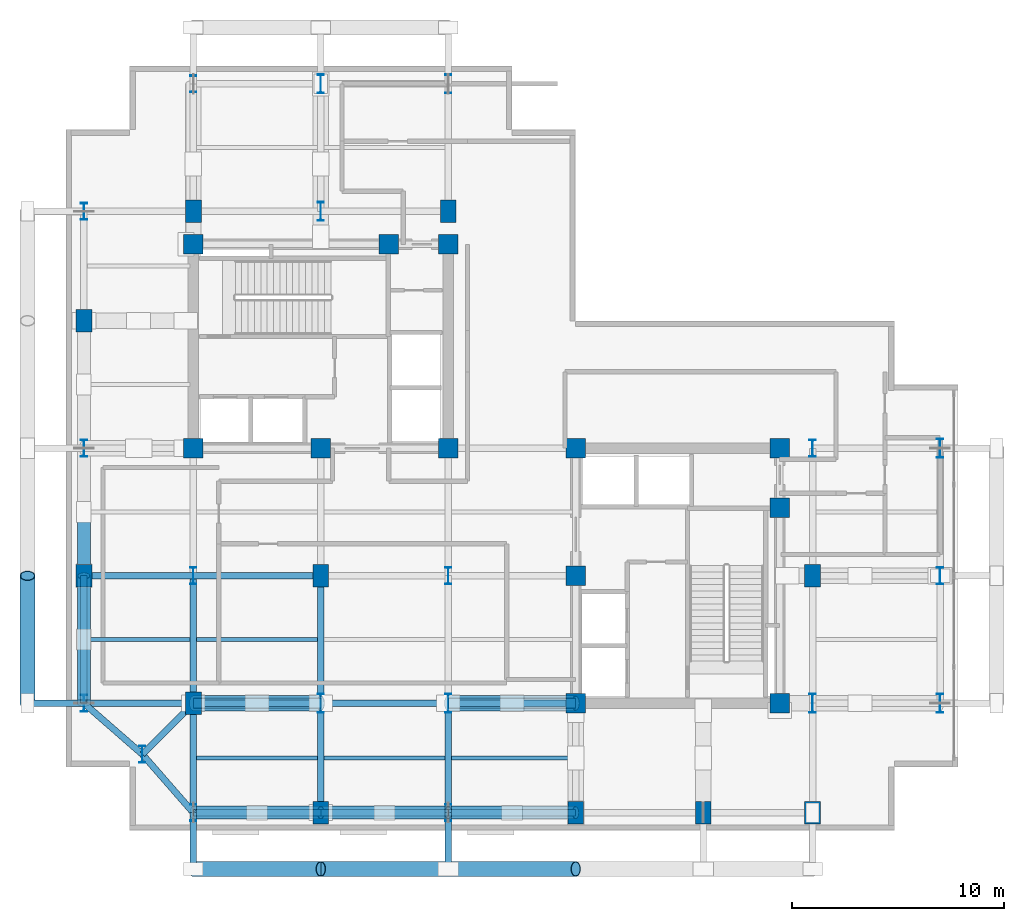
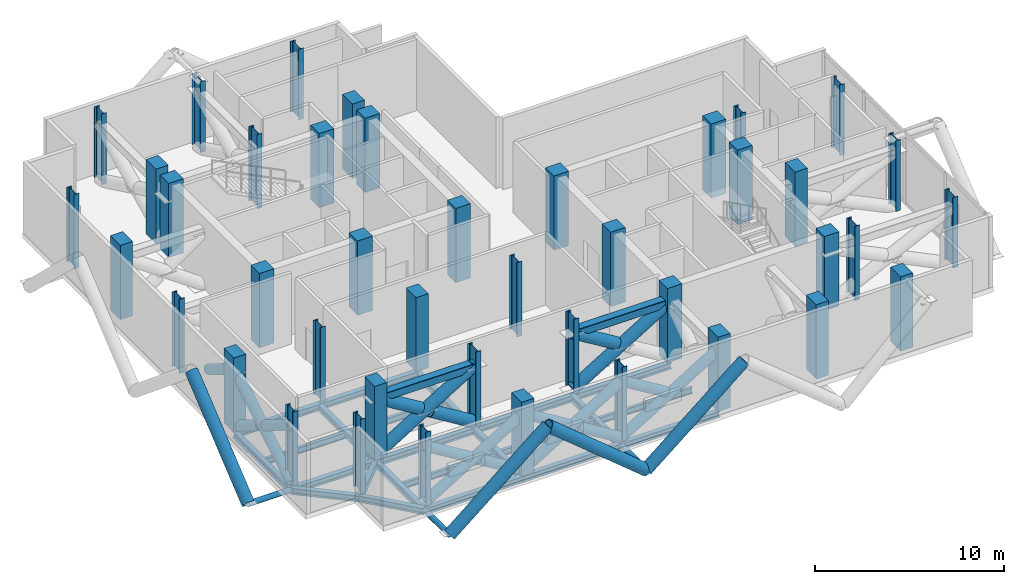
# One storey, part 1 of 8: 42 columns, 26 members, 23 beams.
"""IFC4 building model written with IfcOpenShell, lengths in metres."""

from ifc_helpers import new_model, si_unit, direction, frame, origin, origin_2d, place, context, subcontext, project, spatial, rectangle, hollow_rectangle, hollow_circle, i_section, extrude, material, material_profile, profile_set, type_object, element, save


model = new_model("IFC4")

# Units and contexts
model_context = context("Model", 3, precision=1e-05, world=origin(), true_north=direction((0.0, 1.0)))
body_context = subcontext(model_context, "Body", "Model", "MODEL_VIEW")
ifc_project = project(units=[si_unit("LENGTHUNIT", "METRE"), si_unit("AREAUNIT", "SQUARE_METRE"), si_unit("VOLUMEUNIT", "CUBIC_METRE"), si_unit("PLANEANGLEUNIT", "RADIAN"), si_unit("MASSUNIT", "GRAM", prefix="KILO"), si_unit("THERMODYNAMICTEMPERATUREUNIT", "KELVIN"), si_unit("POWERUNIT", "WATT")], contexts=[model_context])

# Site, building, storey
site_placement = place(None, origin())
site = spatial("IfcSite", under=ifc_project, at=site_placement, CompositionType="ELEMENT")
building_placement = place(site_placement, origin())
building = spatial("IfcBuilding", under=site, at=building_placement, Name="Svarakhadi Broadcast Tower", CompositionType="ELEMENT")
storey_placement = place(building_placement, frame((0.0, 0.0, 234.89990234375)))
storey = spatial("IfcBuildingStorey", under=building, at=storey_placement, Name="L58", CompositionType="ELEMENT", Elevation=234.89990234375)

# Columns
ifc_material_1 = material(Name="Concrete C50/60 (IS 456 M60)", Category="concrete")
ifc_material_profile_1 = material_profile(ifc_material_1, rectangle(XDim=0.75, YDim=1.050048828125, at=origin_2d()), Name="RC 750x1050")
ifc_profile_set_1 = profile_set([ifc_material_profile_1], Name="Concrete C50/60 (IS 456 M60)")
column_type_1 = type_object("IfcColumnType", Name="Col_RC750", PredefinedType="COLUMN", material=ifc_profile_set_1)
for number, where, z_axis, x_axis, name in (
    (1, (0.85009765625, 12.0, 0.0), (0.0, 0.0, 1.0), (1.0, 0.0, 0.0), "L58 Column G04"),
    (2, (0.85009765625, 24.0, 0.0), (0.0, 0.0, 1.0), (1.0, 0.0, 0.0), "L58 Column G06"),
    (3, (6.0, 6.0, 0.0), (0.0, 0.0, 1.0), (1.0, 0.0, 0.0), "L58 Column G12"),
    (4, (6.0, 29.14990234375, 0.0), (0.0, 0.0, 1.0), (1.0, 0.0, 0.0), "L58 Column G14"),
    (5, (12.0, 0.85009765625, 0.0), (0.0, 0.0, 1.0), (1.0, 0.0, 0.0), "L58 Column G18"),
    (6, (12.0, 12.0, 0.0), (0.0, 0.0, 1.0), (1.0, 0.0, 0.0), "L58 Column G20"),
    (7, (18.0, 29.14990234375, 0.0), (0.0, 0.0, 1.0), (1.0, 0.0, 0.0), "L58 Column G28"),
    (8, (24.0, 0.85009765625, 0.0), (0.0, 0.0, 1.0), (1.0, 0.0, 0.0), "L58 Column G32"),
    (9, (30.0, 0.85009765625, 0.0), (0.0, 0.0, 1.0), (1.0, 0.0, 0.0), "L58 Column G36"),
    (10, (35.14990234375, 0.85009765625, 0.0), (0.0, 0.0, 1.0), (1.0, 0.0, 0.0), "L58 Column G38"),
    (11, (35.14990234375, 12.0, 0.0), (0.0, 0.0, 1.0), (1.0, 0.0, 0.0), "L58 Column G40"),
):
    element("IfcColumn", number, at=place(storey_placement, frame(where, z_axis=z_axis, x_axis=x_axis)), inside=storey, type_object=column_type_1, Name=name, PredefinedType="COLUMN", context=body_context, shape_type="SweptSolid", body=[
        extrude(rectangle(XDim=0.75, YDim=1.050048828125, at=origin_2d()), origin(), (0.0, 0.0, 1.0), 4.800048828125),
    ])
ifc_material_profile_2 = material_profile(ifc_material_1, rectangle(XDim=0.89990234375, YDim=0.89990234375, at=origin_2d()), Name="RC 900x900")
ifc_profile_set_2 = profile_set([ifc_material_profile_2], Name="Concrete C50/60 (IS 456 M60)")
column_type_2 = type_object("IfcColumnType", Name="Col_RC900", PredefinedType="COLUMN", material=ifc_profile_set_2)
for number, where, z_axis, x_axis, name in (
    (12, (6.0, 18.0, 0.0), (0.0, 0.0, 1.0), (1.0, 0.0, 0.0), "L58 Column CW1"),
    (13, (12.0, 18.0, 0.0), (0.0, 0.0, 1.0), (1.0, 0.0, 0.0), "L58 Column CW2"),
    (14, (18.0, 18.0, 0.0), (0.0, 0.0, 1.0), (1.0, 0.0, 0.0), "L58 Column CW3"),
    (15, (6.0, 27.60009765625, 0.0), (0.0, 0.0, 1.0), (1.0, 0.0, 0.0), "L58 Column CW4"),
    (16, (15.199951171875, 27.60009765625, 0.0), (0.0, 0.0, 1.0), (1.0, 0.0, 0.0), "L58 Column CW5"),
    (17, (18.0, 27.60009765625, 0.0), (0.0, 0.0, 1.0), (1.0, 0.0, 0.0), "L58 Column CW6"),
    (18, (24.0, 6.0, 0.0), (0.0, 0.0, 1.0), (1.0, 0.0, 0.0), "L58 Column CE1"),
    (19, (24.0, 12.0, 0.0), (0.0, 0.0, 1.0), (1.0, 0.0, 0.0), "L58 Column CE2"),
    (20, (24.0, 18.0, 0.0), (0.0, 0.0, 1.0), (1.0, 0.0, 0.0), "L58 Column CE3"),
    (21, (33.60009765625, 6.0, 0.0), (0.0, 0.0, 1.0), (1.0, 0.0, 0.0), "L58 Column CE4"),
    (22, (33.60009765625, 15.199951171875, 0.0), (0.0, 0.0, 1.0), (1.0, 0.0, 0.0), "L58 Column CE5"),
    (23, (33.60009765625, 18.0, 0.0), (0.0, 0.0, 1.0), (1.0, 0.0, 0.0), "L58 Column CE6"),
):
    element("IfcColumn", number, at=place(storey_placement, frame(where, z_axis=z_axis, x_axis=x_axis)), inside=storey, type_object=column_type_2, Name=name, PredefinedType="COLUMN", context=body_context, shape_type="SweptSolid", body=[
        extrude(rectangle(XDim=0.89990234375, YDim=0.89990234375, at=origin_2d()), origin(), (0.0, 0.0, 1.0), 4.800048828125),
    ])
ifc_material_2 = material(Name="Steel S460ML (IS 2062 E450BR)", Category="steel")
ifc_material_profile_3 = material_profile(ifc_material_2, i_section(OverallWidth=0.300048828125, OverallDepth=0.800048828125, WebThickness=0.017578125, FlangeThickness=0.032958984375, FilletRadius=0.030029296875, at=origin_2d()), Name="WPB 800x300x262")
ifc_profile_set_3 = profile_set([ifc_material_profile_3], Name="Steel S460ML (IS 2062 E450BR)")
column_type_3 = type_object("IfcColumnType", Name="Col_WPB800", PredefinedType="COLUMN", material=ifc_profile_set_3)
for number, where, z_axis, x_axis, name in (
    (24, (3.60009765625, 3.60009765625, 0.0), (0.0, 0.0, 1.0), (1.0, 0.0, 0.0), "L58 Column G01"),
    (25, (0.85009765625, 6.0, 0.0), (0.0, 0.0, 1.0), (1.0, 0.0, 0.0), "L58 Column G03"),
    (26, (0.85009765625, 18.0, 0.0), (0.0, 0.0, 1.0), (1.0, 0.0, 0.0), "L58 Column G05"),
    (27, (0.85009765625, 29.14990234375, 0.0), (0.0, 0.0, 1.0), (1.0, 0.0, 0.0), "L58 Column G07"),
    (28, (6.0, 0.85009765625, 0.0), (0.0, 0.0, 1.0), (1.0, 0.0, 0.0), "L58 Column G11"),
    (29, (6.0, 12.0, 0.0), (0.0, 0.0, 1.0), (1.0, 0.0, 0.0), "L58 Column G13"),
):
    element("IfcColumn", number, at=place(storey_placement, frame(where, z_axis=z_axis, x_axis=x_axis)), inside=storey, type_object=column_type_3, Name=name, PredefinedType="COLUMN", context=body_context, shape_type="SweptSolid", body=[
        extrude(i_section(OverallWidth=0.300048828125, OverallDepth=0.800048828125, WebThickness=0.017578125, FlangeThickness=0.032958984375, FilletRadius=0.030029296875, at=origin_2d()), origin(), (0.0, 0.0, 1.0), 4.800048828125),
    ])
column_1_placement = place(storey_placement, frame((6.0, 35.14990234375, 0.0), z_axis=(0.0, 0.0, 1.0), x_axis=(1.0, 0.0, 0.0)))
element("IfcColumn", 30, at=column_1_placement, inside=storey, type_object=column_type_3, Name="L58 Column G15", PredefinedType="COLUMN", context=body_context, shape_type="SweptSolid", body=[
    extrude(i_section(OverallWidth=0.300048828125, OverallDepth=0.800048828125, WebThickness=0.017578125, FlangeThickness=0.032958984375, FilletRadius=0.030029296875, at=origin_2d()), origin(), (0.0, 0.0, 1.0), 4.56005859375),
])
for number, where, z_axis, x_axis, name in (
    (31, (18.0, 0.85009765625, 0.0), (0.0, 0.0, 1.0), (1.0, 0.0, 0.0), "L58 Column G25"),
    (32, (18.0, 12.0, 0.0), (0.0, 0.0, 1.0), (1.0, 0.0, 0.0), "L58 Column G27"),
    (33, (35.14990234375, 18.0, 0.0), (0.0, 0.0, 1.0), (1.0, 0.0, 0.0), "L58 Column G41"),
):
    element("IfcColumn", number, at=place(storey_placement, frame(where, z_axis=z_axis, x_axis=x_axis)), inside=storey, type_object=column_type_3, Name=name, PredefinedType="COLUMN", context=body_context, shape_type="SweptSolid", body=[
        extrude(i_section(OverallWidth=0.300048828125, OverallDepth=0.800048828125, WebThickness=0.017578125, FlangeThickness=0.032958984375, FilletRadius=0.030029296875, at=origin_2d()), origin(), (0.0, 0.0, 1.0), 4.800048828125),
    ])
column_2_placement = place(storey_placement, frame((41.14990234375, 12.0, 0.0), z_axis=(0.0, 0.0, 1.0), x_axis=(1.0, 0.0, 0.0)))
element("IfcColumn", 34, at=column_2_placement, inside=storey, type_object=column_type_3, Name="L58 Column G45", PredefinedType="COLUMN", context=body_context, shape_type="SweptSolid", body=[
    extrude(i_section(OverallWidth=0.300048828125, OverallDepth=0.800048828125, WebThickness=0.017578125, FlangeThickness=0.032958984375, FilletRadius=0.030029296875, at=origin_2d()), origin(), (0.0, 0.0, 1.0), 4.56005859375),
])
ifc_material_profile_4 = material_profile(ifc_material_2, i_section(OverallWidth=0.300048828125, OverallDepth=0.89990234375, WebThickness=0.0185546875, FlangeThickness=0.034912109375, FilletRadius=0.030029296875, at=origin_2d()), Name="WPB 900x300x291")
ifc_profile_set_4 = profile_set([ifc_material_profile_4], Name="Steel S460ML (IS 2062 E450BR)")
column_type_4 = type_object("IfcColumnType", Name="Col_WPB900", PredefinedType="COLUMN", material=ifc_profile_set_4)
for number, where, z_axis, x_axis, name in (
    (35, (12.0, 6.0, 0.0), (0.0, 0.0, 1.0), (1.0, 0.0, 0.0), "L58 Column G19"),
    (36, (12.0, 29.14990234375, 0.0), (0.0, 0.0, 1.0), (1.0, 0.0, 0.0), "L58 Column G21"),
):
    element("IfcColumn", number, at=place(storey_placement, frame(where, z_axis=z_axis, x_axis=x_axis)), inside=storey, type_object=column_type_4, Name=name, PredefinedType="COLUMN", context=body_context, shape_type="SweptSolid", body=[
        extrude(i_section(OverallWidth=0.300048828125, OverallDepth=0.89990234375, WebThickness=0.0185546875, FlangeThickness=0.034912109375, FilletRadius=0.030029296875, at=origin_2d()), origin(), (0.0, 0.0, 1.0), 4.800048828125),
    ])
column_3_placement = place(storey_placement, frame((12.0, 35.14990234375, 0.0), z_axis=(0.0, 0.0, 1.0), x_axis=(1.0, 0.0, 0.0)))
element("IfcColumn", 37, at=column_3_placement, inside=storey, type_object=column_type_4, Name="L58 Column G22", PredefinedType="COLUMN", context=body_context, shape_type="SweptSolid", body=[
    extrude(i_section(OverallWidth=0.300048828125, OverallDepth=0.89990234375, WebThickness=0.0185546875, FlangeThickness=0.034912109375, FilletRadius=0.030029296875, at=origin_2d()), origin(), (0.0, 0.0, 1.0), 4.56005859375),
])
column_4_placement = place(storey_placement, frame((18.0, 6.0, 0.0), z_axis=(0.0, 0.0, 1.0), x_axis=(1.0, 0.0, 0.0)))
element("IfcColumn", 38, at=column_4_placement, inside=storey, type_object=column_type_4, Name="L58 Column G26", PredefinedType="COLUMN", context=body_context, shape_type="SweptSolid", body=[
    extrude(i_section(OverallWidth=0.300048828125, OverallDepth=0.89990234375, WebThickness=0.0185546875, FlangeThickness=0.034912109375, FilletRadius=0.030029296875, at=origin_2d()), origin(), (0.0, 0.0, 1.0), 4.800048828125),
])
column_5_placement = place(storey_placement, frame((18.0, 35.14990234375, 0.0), z_axis=(0.0, 0.0, 1.0), x_axis=(1.0, 0.0, 0.0)))
element("IfcColumn", 39, at=column_5_placement, inside=storey, type_object=column_type_4, Name="L58 Column G29", PredefinedType="COLUMN", context=body_context, shape_type="SweptSolid", body=[
    extrude(i_section(OverallWidth=0.300048828125, OverallDepth=0.89990234375, WebThickness=0.0185546875, FlangeThickness=0.034912109375, FilletRadius=0.030029296875, at=origin_2d()), origin(), (0.0, 0.0, 1.0), 4.56005859375),
])
column_6_placement = place(storey_placement, frame((35.14990234375, 6.0, 0.0), z_axis=(0.0, 0.0, 1.0), x_axis=(1.0, 0.0, 0.0)))
element("IfcColumn", 40, at=column_6_placement, inside=storey, type_object=column_type_4, Name="L58 Column G39", PredefinedType="COLUMN", context=body_context, shape_type="SweptSolid", body=[
    extrude(i_section(OverallWidth=0.300048828125, OverallDepth=0.89990234375, WebThickness=0.0185546875, FlangeThickness=0.034912109375, FilletRadius=0.030029296875, at=origin_2d()), origin(), (0.0, 0.0, 1.0), 4.800048828125),
])
for number, where, z_axis, x_axis, name in (
    (41, (41.14990234375, 6.0, 0.0), (0.0, 0.0, 1.0), (1.0, 0.0, 0.0), "L58 Column G44"),
    (42, (41.14990234375, 18.0, 0.0), (0.0, 0.0, 1.0), (1.0, 0.0, 0.0), "L58 Column G46"),
):
    element("IfcColumn", number, at=place(storey_placement, frame(where, z_axis=z_axis, x_axis=x_axis)), inside=storey, type_object=column_type_4, Name=name, PredefinedType="COLUMN", context=body_context, shape_type="SweptSolid", body=[
        extrude(i_section(OverallWidth=0.300048828125, OverallDepth=0.89990234375, WebThickness=0.0185546875, FlangeThickness=0.034912109375, FilletRadius=0.030029296875, at=origin_2d()), origin(), (0.0, 0.0, 1.0), 4.56005859375),
    ])

# Beams
ifc_material_3 = material(Name="Steel S355J2 (IS 2062 E350C)", Category="steel")
ifc_material_profile_5 = material_profile(ifc_material_3, i_section(OverallWidth=0.179931640625, OverallDepth=0.39990234375, WebThickness=0.008544921875, FlangeThickness=0.013427734375, FilletRadius=0.02099609375, at=origin_2d()), Name="NPB 400x180x66")
ifc_profile_set_5 = profile_set([ifc_material_profile_5], Name="Steel S355J2 (IS 2062 E350C)")
beam_type_1 = type_object("IfcBeamType", Name="Beam_NPB400", PredefinedType="BEAM", material=ifc_profile_set_5)
beam_1_placement = place(storey_placement, frame((1.010009765625, 9.0, -0.52490234375), z_axis=(1.0, 0.0, 0.0), x_axis=(0.0, 1.0, 0.0)))
element("IfcBeam", 43, at=beam_1_placement, inside=storey, type_object=beam_type_1, Name="L58 Secondary Composite Beam SB001", PredefinedType="BEAM", context=body_context, shape_type="SweptSolid", body=[
    extrude(i_section(OverallWidth=0.179931640625, OverallDepth=0.39990234375, WebThickness=0.008544921875, FlangeThickness=0.013427734375, FilletRadius=0.02099609375, at=origin_2d()), origin(), (0.0, 0.0, 1.0), 4.830078125),
])
for number, where, z_axis, x_axis, name in (
    (44, (6.159912109375, 3.425048828125, -0.52490234375), (1.0, 0.0, 0.0), (0.0, 1.0, 0.0), "L58 Secondary Composite Beam SB005"),
    (45, (6.159912109375, 9.0, -0.52490234375), (1.0, 0.0, 0.0), (0.0, 1.0, 0.0), "L58 Secondary Composite Beam SB006"),
    (46, (12.159912109375, 3.425048828125, -0.52490234375), (1.0, 0.0, 0.0), (0.0, 1.0, 0.0), "L58 Secondary Composite Beam SB009"),
    (47, (18.159912109375, 3.425048828125, -0.52490234375), (1.0, 0.0, 0.0), (0.0, 1.0, 0.0), "L58 Secondary Composite Beam SB013"),
):
    element("IfcBeam", number, at=place(storey_placement, frame(where, z_axis=z_axis, x_axis=x_axis)), inside=storey, type_object=beam_type_1, Name=name, PredefinedType="BEAM", context=body_context, shape_type="SweptSolid", body=[
        extrude(i_section(OverallWidth=0.179931640625, OverallDepth=0.39990234375, WebThickness=0.008544921875, FlangeThickness=0.013427734375, FilletRadius=0.02099609375, at=origin_2d()), origin(), (0.0, 0.0, 1.0), 5.68017578125),
    ])

# Members
ifc_material_profile_6 = material_profile(ifc_material_2, hollow_circle(Radius=0.304931640625, WallThickness=0.030029296875, at=origin_2d()), Name="CHS 610x30")
ifc_profile_set_6 = profile_set([ifc_material_profile_6], Name="Steel S460ML (IS 2062 E450BR)")
member_type_1 = type_object("IfcMemberType", Name="Belt_Brace_BT01", PredefinedType="BRACE", material=ifc_profile_set_6)
member_1_placement = place(storey_placement, frame((6.0, 0.85009765625, 0.0), z_axis=(0.854326743865, 0.0, 0.519736293438), x_axis=(0.0, 1.0, 0.0)))
element("IfcMember", 48, at=member_1_placement, inside=storey, type_object=member_type_1, Name="L58 Perimeter Belt Truss Diagonal BT-01A", PredefinedType="BRACE", context=body_context, shape_type="SweptSolid", body=[
    extrude(hollow_circle(Radius=0.304931640625, WallThickness=0.030029296875, at=origin_2d()), origin(), (0.0, 0.0, 1.0), 7.023193359375),
])
for number, where, z_axis, x_axis, name in (
    (49, (12.0, 0.85009765625, 0.0), (-0.854339667443, 0.0, 0.519715049458), (0.0, -1.0, 0.0), "L58 Perimeter Belt Truss Diagonal BT-01B1"),
    (50, (8.739501953125, 0.85009765625, 1.983642578125), (-0.854339667443, 0.0, 0.519715049458), (0.0, -1.0, 0.0), "L58 Perimeter Belt Truss Diagonal BT-01B2"),
):
    element("IfcMember", number, at=place(storey_placement, frame(where, z_axis=z_axis, x_axis=x_axis)), inside=storey, type_object=member_type_1, Name=name, PredefinedType="BRACE", context=body_context, shape_type="SweptSolid", body=[
        extrude(hollow_circle(Radius=0.304931640625, WallThickness=0.030029296875, at=origin_2d()), origin(), (0.0, 0.0, 1.0), 3.20654296875),
    ])
member_2_placement = place(storey_placement, frame((12.0, 0.85009765625, 0.0), z_axis=(0.854326743865, 0.0, 0.519736293438), x_axis=(0.0, 1.0, 0.0)))
element("IfcMember", 51, at=member_2_placement, inside=storey, type_object=member_type_1, Name="L58 Perimeter Belt Truss Diagonal BT-02A", PredefinedType="BRACE", context=body_context, shape_type="SweptSolid", body=[
    extrude(hollow_circle(Radius=0.304931640625, WallThickness=0.030029296875, at=origin_2d()), origin(), (0.0, 0.0, 1.0), 7.023193359375),
])
for number, where, z_axis, x_axis, name in (
    (52, (18.0, 0.85009765625, 0.0), (-0.854339667443, 0.0, 0.519715049458), (0.0, -1.0, 0.0), "L58 Perimeter Belt Truss Diagonal BT-02B1"),
    (53, (14.739501953125, 0.85009765625, 1.983642578125), (-0.854339667443, 0.0, 0.519715049458), (0.0, -1.0, 0.0), "L58 Perimeter Belt Truss Diagonal BT-02B2"),
):
    element("IfcMember", number, at=place(storey_placement, frame(where, z_axis=z_axis, x_axis=x_axis)), inside=storey, type_object=member_type_1, Name=name, PredefinedType="BRACE", context=body_context, shape_type="SweptSolid", body=[
        extrude(hollow_circle(Radius=0.304931640625, WallThickness=0.030029296875, at=origin_2d()), origin(), (0.0, 0.0, 1.0), 3.20654296875),
    ])
member_3_placement = place(storey_placement, frame((18.0, 0.85009765625, 0.0), z_axis=(0.854326743865, 0.0, 0.519736293438), x_axis=(0.0, 1.0, 0.0)))
element("IfcMember", 54, at=member_3_placement, inside=storey, type_object=member_type_1, Name="L58 Perimeter Belt Truss Diagonal BT-03A", PredefinedType="BRACE", context=body_context, shape_type="SweptSolid", body=[
    extrude(hollow_circle(Radius=0.304931640625, WallThickness=0.030029296875, at=origin_2d()), origin(), (0.0, 0.0, 1.0), 7.023193359375),
])
member_4_placement = place(storey_placement, frame((20.739501953125, 0.85009765625, 1.983642578125), z_axis=(-0.854339667443, 0.0, 0.519715049458), x_axis=(0.0, -1.0, 0.0)))
element("IfcMember", 55, at=member_4_placement, inside=storey, type_object=member_type_1, Name="L58 Perimeter Belt Truss Diagonal BT-03B2", PredefinedType="BRACE", context=body_context, shape_type="SweptSolid", body=[
    extrude(hollow_circle(Radius=0.304931640625, WallThickness=0.030029296875, at=origin_2d()), origin(), (0.0, 0.0, 1.0), 3.20654296875),
])
member_5_placement = place(storey_placement, frame((0.85009765625, 6.0, 0.0), z_axis=(0.0, 0.854326743865, 0.519736293438), x_axis=(-1.0, 0.0, 0.0)))
element("IfcMember", 56, at=member_5_placement, inside=storey, type_object=member_type_1, Name="L58 Perimeter Belt Truss Diagonal BT-04A", PredefinedType="BRACE", context=body_context, shape_type="SweptSolid", body=[
    extrude(hollow_circle(Radius=0.304931640625, WallThickness=0.030029296875, at=origin_2d()), origin(), (0.0, 0.0, 1.0), 7.023193359375),
])
for number, where, z_axis, x_axis, name in (
    (57, (0.85009765625, 12.0, 0.0), (0.0, -0.854339667443, 0.519715049458), (1.0, 0.0, 0.0), "L58 Perimeter Belt Truss Diagonal BT-04B1"),
    (58, (0.85009765625, 8.739501953125, 1.983642578125), (0.0, -0.854339667443, 0.519715049458), (1.0, 0.0, 0.0), "L58 Perimeter Belt Truss Diagonal BT-04B2"),
    (59, (0.85009765625, 14.739501953125, 1.983642578125), (0.0, -0.854339667443, 0.519715049458), (1.0, 0.0, 0.0), "L58 Perimeter Belt Truss Diagonal BT-05B2"),
):
    element("IfcMember", number, at=place(storey_placement, frame(where, z_axis=z_axis, x_axis=x_axis)), inside=storey, type_object=member_type_1, Name=name, PredefinedType="BRACE", context=body_context, shape_type="SweptSolid", body=[
        extrude(hollow_circle(Radius=0.304931640625, WallThickness=0.030029296875, at=origin_2d()), origin(), (0.0, 0.0, 1.0), 3.20654296875),
    ])
ifc_material_profile_7 = material_profile(ifc_material_2, hollow_circle(Radius=0.35546875, WallThickness=0.034912109375, at=origin_2d()), Name="CHS 711x35")
ifc_profile_set_7 = profile_set([ifc_material_profile_7], Name="Steel S460ML (IS 2062 E450BR)")
member_type_2 = type_object("IfcMemberType", Name="Exo_Brace_CHS711", PredefinedType="BRACE", material=ifc_profile_set_7)
for number, where, z_axis, x_axis, name in (
    (60, (6.0, -1.800048828125, -0.48681640625), (0.771345545027, 0.0, 0.636416569683), (0.0, 1.0, 0.0), "L58 Exposed Bronze Exoskeleton Diagonal S01"),
    (61, (18.0, -1.800048828125, -0.48681640625), (-0.771345545027, 0.0, 0.636416569683), (0.0, -1.0, 0.0), "L58 Exposed Bronze Exoskeleton Diagonal S02"),
    (62, (18.0, -1.800048828125, -0.48681640625), (0.771345545027, 0.0, 0.636416569683), (0.0, 1.0, 0.0), "L58 Exposed Bronze Exoskeleton Diagonal S03"),
    (63, (-1.800048828125, 6.0, -0.48681640625), (0.0, 0.771345545027, 0.636416569683), (-1.0, 0.0, 0.0), "L58 Exposed Bronze Exoskeleton Diagonal W06"),
):
    element("IfcMember", number, at=place(storey_placement, frame(where, z_axis=z_axis, x_axis=x_axis)), inside=storey, type_object=member_type_2, Name=name, PredefinedType="BRACE", context=body_context, shape_type="SweptSolid", body=[
        extrude(hollow_circle(Radius=0.35546875, WallThickness=0.034912109375, at=origin_2d()), origin(), (0.0, 0.0, 1.0), 7.778564453125),
    ])
ifc_material_profile_8 = material_profile(ifc_material_2, hollow_circle(Radius=0.161865234375, WallThickness=0.01611328125, at=origin_2d()), Name="CHS 323.9x16")
ifc_profile_set_8 = profile_set([ifc_material_profile_8], Name="Steel S460ML (IS 2062 E450BR)")
member_type_3 = type_object("IfcMemberType", Name="Exo_Radial_Strut_Z2", PredefinedType="STRUT", material=ifc_profile_set_8)
for number, where, z_axis, x_axis, name in (
    (64, (6.0, -1.800048828125, -0.48681640625), (0.0, 1.0, 0.0), (-1.0, 0.0, 0.0), "L58 Exoskeleton Radial Tie Strut S01"),
    (65, (18.0, -1.800048828125, -0.48681640625), (0.0, 1.0, 0.0), (-1.0, 0.0, 0.0), "L58 Exoskeleton Radial Tie Strut S02"),
    (66, (-1.800048828125, 6.0, -0.48681640625), (1.0, 0.0, 0.0), (0.0, 1.0, 0.0), "L58 Exoskeleton Radial Tie Strut W04"),
):
    element("IfcMember", number, at=place(storey_placement, frame(where, z_axis=z_axis, x_axis=x_axis)), inside=storey, type_object=member_type_3, Name=name, PredefinedType="STRUT", context=body_context, shape_type="SweptSolid", body=[
        extrude(hollow_circle(Radius=0.161865234375, WallThickness=0.01611328125, at=origin_2d()), origin(), (0.0, 0.0, 1.0), 2.650146484375),
    ])

# Beams
ifc_material_profile_9 = material_profile(ifc_material_3, i_section(OverallWidth=0.300048828125, OverallDepth=0.39990234375, WebThickness=0.013427734375, FlangeThickness=0.02392578125, FilletRadius=0.027099609375, at=origin_2d()), Name="WPB 400x300x155")
ifc_profile_set_9 = profile_set([ifc_material_profile_9], Name="Steel S355J2 (IS 2062 E350C)")
beam_type_2 = type_object("IfcBeamType", Name="Girder_WPB400", PredefinedType="USERDEFINED", material=ifc_profile_set_9)
beam_2_placement = place(storey_placement, frame((3.60009765625, 3.60009765625, -0.52490234375), z_axis=(0.707106781187, 0.707106781187, 0.0), x_axis=(-0.707106781187, 0.707106781187, 0.0)))
element("IfcBeam", 67, at=beam_2_placement, inside=storey, type_object=beam_type_2, Name="L58 Corner Tie Girder G001", ObjectType="GIRDER", PredefinedType="USERDEFINED", context=body_context, shape_type="SweptSolid", body=[
    extrude(i_section(OverallWidth=0.300048828125, OverallDepth=0.39990234375, WebThickness=0.013427734375, FlangeThickness=0.02392578125, FilletRadius=0.027099609375, at=origin_2d()), origin(), (0.0, 0.0, 1.0), 3.39404296875),
])
for number, where, z_axis, x_axis, name in (
    (68, (3.60009765625, 3.60009765625, -0.52490234375), (-0.753437912176, 0.657519058655, 0.0), (-0.657519058655, -0.753437912176, 0.0), "L58 Corner Tie Girder G002"),
    (69, (3.60009765625, 3.60009765625, -0.52490234375), (0.657519058655, -0.753437912176, 0.0), (0.753437912176, 0.657519058655, 0.0), "L58 Corner Tie Girder G003"),
):
    element("IfcBeam", number, at=place(storey_placement, frame(where, z_axis=z_axis, x_axis=x_axis)), inside=storey, type_object=beam_type_2, Name=name, ObjectType="GIRDER", PredefinedType="USERDEFINED", context=body_context, shape_type="SweptSolid", body=[
        extrude(i_section(OverallWidth=0.300048828125, OverallDepth=0.39990234375, WebThickness=0.013427734375, FlangeThickness=0.02392578125, FilletRadius=0.027099609375, at=origin_2d()), origin(), (0.0, 0.0, 1.0), 3.64990234375),
    ])
for number, where, z_axis, x_axis, name in (
    (70, (6.0, 0.85009765625, -0.52490234375), (1.0, 0.0, 0.0), (0.0, 1.0, 0.0), "L58 Primary E-W Girder G004"),
    (71, (12.0, 0.85009765625, -0.52490234375), (1.0, 0.0, 0.0), (0.0, 1.0, 0.0), "L58 Primary E-W Girder G005"),
    (72, (18.0, 0.85009765625, -0.52490234375), (1.0, 0.0, 0.0), (0.0, 1.0, 0.0), "L58 Primary E-W Girder G006"),
):
    element("IfcBeam", number, at=place(storey_placement, frame(where, z_axis=z_axis, x_axis=x_axis)), inside=storey, type_object=beam_type_2, Name=name, ObjectType="GIRDER", PredefinedType="USERDEFINED", context=body_context, shape_type="SweptSolid", body=[
        extrude(i_section(OverallWidth=0.300048828125, OverallDepth=0.39990234375, WebThickness=0.013427734375, FlangeThickness=0.02392578125, FilletRadius=0.027099609375, at=origin_2d()), origin(), (0.0, 0.0, 1.0), 6.0),
    ])
beam_3_placement = place(storey_placement, frame((0.85009765625, 6.0, -0.52490234375), z_axis=(1.0, 0.0, 0.0), x_axis=(0.0, 1.0, 0.0)))
element("IfcBeam", 73, at=beam_3_placement, inside=storey, type_object=beam_type_2, Name="L58 Primary E-W Girder G009", ObjectType="GIRDER", PredefinedType="USERDEFINED", context=body_context, shape_type="SweptSolid", body=[
    extrude(i_section(OverallWidth=0.300048828125, OverallDepth=0.39990234375, WebThickness=0.013427734375, FlangeThickness=0.02392578125, FilletRadius=0.027099609375, at=origin_2d()), origin(), (0.0, 0.0, 1.0), 5.14990234375),
])
for number, where, z_axis, x_axis, name in (
    (74, (6.0, 6.0, -0.52490234375), (1.0, 0.0, 0.0), (0.0, 1.0, 0.0), "L58 Primary E-W Girder G010"),
    (75, (12.0, 6.0, -0.52490234375), (1.0, 0.0, 0.0), (0.0, 1.0, 0.0), "L58 Primary E-W Girder G011"),
    (76, (18.0, 6.0, -0.52490234375), (1.0, 0.0, 0.0), (0.0, 1.0, 0.0), "L58 Primary E-W Girder G012"),
):
    element("IfcBeam", number, at=place(storey_placement, frame(where, z_axis=z_axis, x_axis=x_axis)), inside=storey, type_object=beam_type_2, Name=name, ObjectType="GIRDER", PredefinedType="USERDEFINED", context=body_context, shape_type="SweptSolid", body=[
        extrude(i_section(OverallWidth=0.300048828125, OverallDepth=0.39990234375, WebThickness=0.013427734375, FlangeThickness=0.02392578125, FilletRadius=0.027099609375, at=origin_2d()), origin(), (0.0, 0.0, 1.0), 6.0),
    ])
beam_4_placement = place(storey_placement, frame((0.85009765625, 12.0, -0.52490234375), z_axis=(1.0, 0.0, 0.0), x_axis=(0.0, 1.0, 0.0)))
element("IfcBeam", 77, at=beam_4_placement, inside=storey, type_object=beam_type_2, Name="L58 Primary E-W Girder G015", ObjectType="GIRDER", PredefinedType="USERDEFINED", context=body_context, shape_type="SweptSolid", body=[
    extrude(i_section(OverallWidth=0.300048828125, OverallDepth=0.39990234375, WebThickness=0.013427734375, FlangeThickness=0.02392578125, FilletRadius=0.027099609375, at=origin_2d()), origin(), (0.0, 0.0, 1.0), 5.14990234375),
])
for number, where, z_axis, x_axis, name in (
    (78, (6.0, 12.0, -0.52490234375), (1.0, 0.0, 0.0), (0.0, 1.0, 0.0), "L58 Primary E-W Girder G016"),
    (79, (0.85009765625, 6.0, -0.52490234375), (0.0, 1.0, 0.0), (-1.0, 0.0, 0.0), "L58 Primary N-S Girder G033"),
):
    element("IfcBeam", number, at=place(storey_placement, frame(where, z_axis=z_axis, x_axis=x_axis)), inside=storey, type_object=beam_type_2, Name=name, ObjectType="GIRDER", PredefinedType="USERDEFINED", context=body_context, shape_type="SweptSolid", body=[
        extrude(i_section(OverallWidth=0.300048828125, OverallDepth=0.39990234375, WebThickness=0.013427734375, FlangeThickness=0.02392578125, FilletRadius=0.027099609375, at=origin_2d()), origin(), (0.0, 0.0, 1.0), 6.0),
    ])
beam_5_placement = place(storey_placement, frame((6.0, 0.85009765625, -0.52490234375), z_axis=(0.0, 1.0, 0.0), x_axis=(-1.0, 0.0, 0.0)))
element("IfcBeam", 80, at=beam_5_placement, inside=storey, type_object=beam_type_2, Name="L58 Primary N-S Girder G037", ObjectType="GIRDER", PredefinedType="USERDEFINED", context=body_context, shape_type="SweptSolid", body=[
    extrude(i_section(OverallWidth=0.300048828125, OverallDepth=0.39990234375, WebThickness=0.013427734375, FlangeThickness=0.02392578125, FilletRadius=0.027099609375, at=origin_2d()), origin(), (0.0, 0.0, 1.0), 5.14990234375),
])
beam_6_placement = place(storey_placement, frame((6.0, 6.0, -0.52490234375), z_axis=(0.0, 1.0, 0.0), x_axis=(-1.0, 0.0, 0.0)))
element("IfcBeam", 81, at=beam_6_placement, inside=storey, type_object=beam_type_2, Name="L58 Primary N-S Girder G038", ObjectType="GIRDER", PredefinedType="USERDEFINED", context=body_context, shape_type="SweptSolid", body=[
    extrude(i_section(OverallWidth=0.300048828125, OverallDepth=0.39990234375, WebThickness=0.013427734375, FlangeThickness=0.02392578125, FilletRadius=0.027099609375, at=origin_2d()), origin(), (0.0, 0.0, 1.0), 6.0),
])
beam_7_placement = place(storey_placement, frame((12.0, 0.85009765625, -0.52490234375), z_axis=(0.0, 1.0, 0.0), x_axis=(-1.0, 0.0, 0.0)))
element("IfcBeam", 82, at=beam_7_placement, inside=storey, type_object=beam_type_2, Name="L58 Primary N-S Girder G042", ObjectType="GIRDER", PredefinedType="USERDEFINED", context=body_context, shape_type="SweptSolid", body=[
    extrude(i_section(OverallWidth=0.300048828125, OverallDepth=0.39990234375, WebThickness=0.013427734375, FlangeThickness=0.02392578125, FilletRadius=0.027099609375, at=origin_2d()), origin(), (0.0, 0.0, 1.0), 5.14990234375),
])
beam_8_placement = place(storey_placement, frame((12.0, 6.0, -0.52490234375), z_axis=(0.0, 1.0, 0.0), x_axis=(-1.0, 0.0, 0.0)))
element("IfcBeam", 83, at=beam_8_placement, inside=storey, type_object=beam_type_2, Name="L58 Primary N-S Girder G043", ObjectType="GIRDER", PredefinedType="USERDEFINED", context=body_context, shape_type="SweptSolid", body=[
    extrude(i_section(OverallWidth=0.300048828125, OverallDepth=0.39990234375, WebThickness=0.013427734375, FlangeThickness=0.02392578125, FilletRadius=0.027099609375, at=origin_2d()), origin(), (0.0, 0.0, 1.0), 6.0),
])
beam_9_placement = place(storey_placement, frame((18.0, 0.85009765625, -0.52490234375), z_axis=(0.0, 1.0, 0.0), x_axis=(-1.0, 0.0, 0.0)))
element("IfcBeam", 84, at=beam_9_placement, inside=storey, type_object=beam_type_2, Name="L58 Primary N-S Girder G046", ObjectType="GIRDER", PredefinedType="USERDEFINED", context=body_context, shape_type="SweptSolid", body=[
    extrude(i_section(OverallWidth=0.300048828125, OverallDepth=0.39990234375, WebThickness=0.013427734375, FlangeThickness=0.02392578125, FilletRadius=0.027099609375, at=origin_2d()), origin(), (0.0, 0.0, 1.0), 5.14990234375),
])

# Members
ifc_material_profile_10 = material_profile(ifc_material_2, hollow_circle(Radius=0.35546875, WallThickness=0.034912109375, at=origin_2d()), Name="CHS 711x35")
ifc_profile_set_10 = profile_set([ifc_material_profile_10], Name="Steel S460ML (IS 2062 E450BR)")
member_type_4 = type_object("IfcMemberType", Name="Outrigger_Brace_OT01", PredefinedType="BRACE", material=ifc_profile_set_10)
member_6_placement = place(storey_placement, frame((18.0, 6.0, 0.0), z_axis=(0.854326743865, 0.0, 0.519736293438), x_axis=(0.0, 1.0, 0.0)))
element("IfcMember", 85, at=member_6_placement, inside=storey, type_object=member_type_4, Name="L58 Core-to-Perimeter Outrigger Truss Diagonal OT-09A", PredefinedType="BRACE", context=body_context, shape_type="SweptSolid", body=[
    extrude(hollow_circle(Radius=0.35546875, WallThickness=0.034912109375, at=origin_2d()), origin(), (0.0, 0.0, 1.0), 7.023193359375),
])
member_7_placement = place(storey_placement, frame((20.6962890625, 6.0, 2.010009765625), z_axis=(-0.85435088915, 0.0, 0.519696602075), x_axis=(0.0, -1.0, 0.0)))
element("IfcMember", 86, at=member_7_placement, inside=storey, type_object=member_type_4, Name="L58 Core-to-Perimeter Outrigger Truss Diagonal OT-09B2", PredefinedType="BRACE", context=body_context, shape_type="SweptSolid", body=[
    extrude(hollow_circle(Radius=0.35546875, WallThickness=0.034912109375, at=origin_2d()), origin(), (0.0, 0.0, 1.0), 3.156005859375),
])
member_8_placement = place(storey_placement, frame((6.0, 6.0, 0.0), z_axis=(0.854326743865, 0.0, 0.519736293438), x_axis=(0.0, 1.0, 0.0)))
element("IfcMember", 87, at=member_8_placement, inside=storey, type_object=member_type_4, Name="L58 Core-to-Perimeter Outrigger Truss Diagonal OT-10A", PredefinedType="BRACE", context=body_context, shape_type="SweptSolid", body=[
    extrude(hollow_circle(Radius=0.35546875, WallThickness=0.034912109375, at=origin_2d()), origin(), (0.0, 0.0, 1.0), 7.023193359375),
])
for number, where, z_axis, x_axis, name in (
    (88, (12.0, 6.0, 0.0), (-0.854316541094, 0.0, 0.519753064072), (0.0, -1.0, 0.0), "L58 Core-to-Perimeter Outrigger Truss Diagonal OT-10B1"),
    (89, (8.6962890625, 6.0, 2.010009765625), (-0.85435088915, 0.0, 0.519696602075), (0.0, -1.0, 0.0), "L58 Core-to-Perimeter Outrigger Truss Diagonal OT-10B2"),
):
    element("IfcMember", number, at=place(storey_placement, frame(where, z_axis=z_axis, x_axis=x_axis)), inside=storey, type_object=member_type_4, Name=name, PredefinedType="BRACE", context=body_context, shape_type="SweptSolid", body=[
        extrude(hollow_circle(Radius=0.35546875, WallThickness=0.034912109375, at=origin_2d()), origin(), (0.0, 0.0, 1.0), 3.156005859375),
    ])
ifc_material_profile_11 = material_profile(ifc_material_2, hollow_rectangle(XDim=0.5, YDim=0.5, WallThickness=0.02490234375, InnerFilletRadius=0.02490234375, OuterFilletRadius=0.0400390625, at=origin_2d()), Name="SHS 500x500x25")
ifc_profile_set_11 = profile_set([ifc_material_profile_11], Name="Steel S460ML (IS 2062 E450BR)")
member_type_5 = type_object("IfcMemberType", Name="Outrigger_Truss_Chord", PredefinedType="CHORD", material=ifc_profile_set_11)
for number, where, z_axis, x_axis, name in (
    (90, (18.0, 6.0, 3.650146484375), (1.0, 0.0, 0.0), (0.0, 1.0, 0.0), "L58 Outrigger Truss Top Chord OC-09"),
    (91, (6.0, 6.0, 3.650146484375), (1.0, 0.0, 0.0), (0.0, 1.0, 0.0), "L58 Outrigger Truss Top Chord OC-10"),
):
    element("IfcMember", number, at=place(storey_placement, frame(where, z_axis=z_axis, x_axis=x_axis)), inside=storey, type_object=member_type_5, Name=name, PredefinedType="CHORD", context=body_context, shape_type="SweptSolid", body=[
        extrude(hollow_rectangle(XDim=0.5, YDim=0.5, WallThickness=0.02490234375, InnerFilletRadius=0.02490234375, OuterFilletRadius=0.0400390625, at=origin_2d()), origin(), (0.0, 0.0, 1.0), 6.0),
    ])

save(model, "model.ifc")
